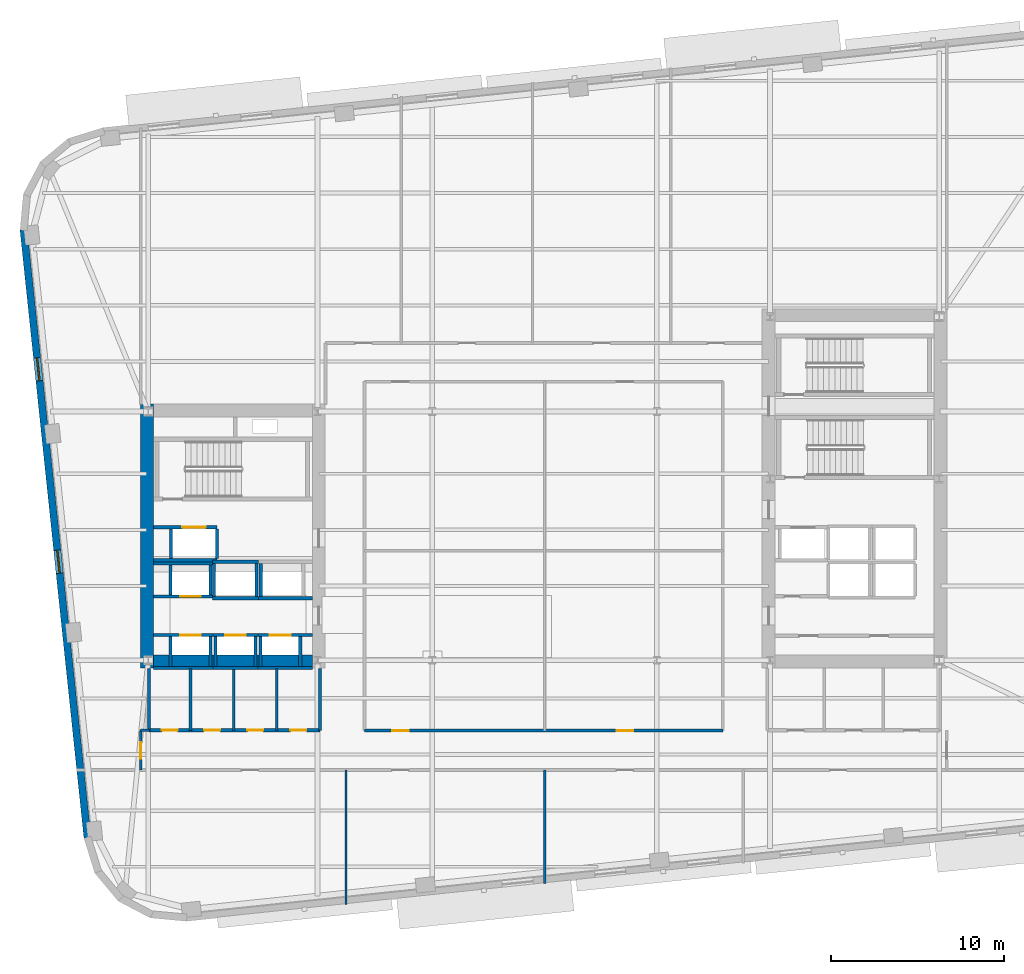
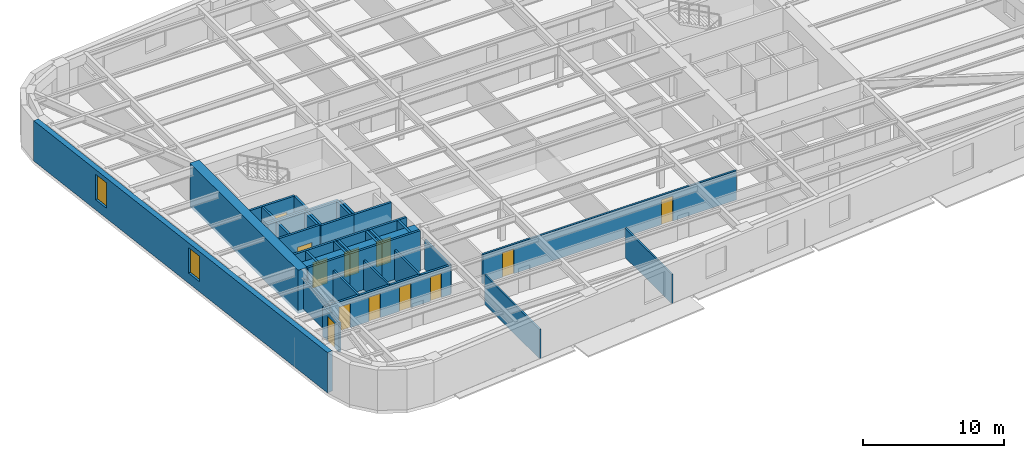
# One storey, part 4 of 11: 40 walls, 12 doors, 2 windows, 14 openings.
"""IFC4 building model written with IfcOpenShell, lengths in metres."""

from ifc_helpers import new_model, si_unit, direction, frame, frame_2d, origin, place, context, subcontext, project, spatial, rectangle, extrude, material, layer, layer_set, type_object, element, fill, save


model = new_model("IFC4")

# Units and contexts
model_context = context("Model", 3, precision=1e-05, world=origin(), true_north=direction((0.0, 1.0)))
body_context = subcontext(model_context, "Body", "Model", "MODEL_VIEW")
ifc_project = project(units=[si_unit("LENGTHUNIT", "METRE"), si_unit("AREAUNIT", "SQUARE_METRE"), si_unit("VOLUMEUNIT", "CUBIC_METRE"), si_unit("PLANEANGLEUNIT", "RADIAN"), si_unit("MASSUNIT", "GRAM", prefix="KILO")], contexts=[model_context])

# Site, building, storey
site_placement = place(None, origin())
site = spatial("IfcSite", under=ifc_project, at=site_placement, CompositionType="ELEMENT")
building_placement = place(site_placement, origin())
building = spatial("IfcBuilding", under=site, at=building_placement, Name="Kolvaren Arena Tower", CompositionType="ELEMENT")
storey_placement = place(building_placement, frame((0.0, 0.0, 134.5)))
storey = spatial("IfcBuildingStorey", under=building, at=storey_placement, Name="L31", CompositionType="ELEMENT", Elevation=134.5)

# Wall, openings, doors
ifc_material_1 = material(Name="Gypsum board acoustic assembly", Category="gypsum")
ifc_layer_1 = layer(ifc_material_1, 0.159912109375)
ifc_layer_set_1 = layer_set([ifc_layer_1], Name="Gypsum board acoustic assembly")
wall_type_1 = type_object("IfcWallType", Name="CORR-160", PredefinedType="PARTITIONING", material=ifc_layer_set_1)
wall_1_placement = place(storey_placement, frame((27.080078125, 15.3798828125, 0.0), z_axis=(0.0, 0.0, 1.0), x_axis=(1.0, 0.0, 0.0)))
wall_1 = element("IfcWall", 1, at=wall_1_placement, inside=storey, type_object=wall_type_1, Name="Interior Partition Wall (L31)", PredefinedType="PARTITIONING", context=body_context, shape_type="SweptSolid", body=[
    extrude(rectangle(XDim=20.739990234375, YDim=0.159912109375, at=frame_2d((10.3701171875, 0.0))), origin(), (0.0, 0.0, 1.0), 2.5400390625),
])
opening_1_placement = place(wall_1_placement, frame((1.594970703125, 0.0, 0.0)))
opening_1 = element("IfcOpeningElement", 2, at=opening_1_placement, cuts=wall_1, Name="Opening D05", PredefinedType="OPENING", context=body_context, shape_type="SweptSolid", body=[
    extrude(rectangle(XDim=0.949951171875, YDim=2.14990234375, at=frame_2d((0.47509765625, 1.074951171875))), frame((0.0, 0.08984375, 0.0), z_axis=(0.0, -1.0, 0.0), x_axis=(1.0, 0.0, 0.0)), (0.0, 0.0, 1.0), 0.179931640625),
])
opening_2_placement = place(wall_1_placement, frame((14.594970703125, 0.0, 0.0)))
opening_2 = element("IfcOpeningElement", 3, at=opening_2_placement, cuts=wall_1, Name="Opening D05", PredefinedType="OPENING", context=body_context, shape_type="SweptSolid", body=[
    extrude(rectangle(XDim=0.949951171875, YDim=2.14990234375, at=frame_2d((0.47509765625, 1.074951171875))), frame((0.0, 0.08984375, 0.0), z_axis=(0.0, -1.0, 0.0), x_axis=(1.0, 0.0, 0.0)), (0.0, 0.0, 1.0), 0.179931640625),
])
ifc_material_2 = material(Name="Solid-core oak acoustic office door", Category="wood")
door_type_1 = type_object("IfcDoorType", Name="DOOR-OF-095", OperationType="NOTDEFINED", PredefinedType="DOOR", material=ifc_material_2)
door_1_placement = place(opening_1_placement, origin())
door_1 = element("IfcDoor", 4, at=door_1_placement, inside=storey, type_object=door_type_1, Name="Technical Engineering Office Door (L31)", OperationType="SINGLE_SWING_RIGHT", OverallHeight=2.14990234375, OverallWidth=0.949951171875, PredefinedType="DOOR", context=body_context, shape_type="SweptSolid", body=[
    extrude(rectangle(XDim=0.949951171875, YDim=2.14990234375, at=frame_2d((0.47509765625, 1.074951171875))), frame((0.0, 0.02490234375, 0.0), z_axis=(0.0, -1.0, 0.0), x_axis=(1.0, 0.0, 0.0)), (0.0, 0.0, 1.0), 0.050048828125),
])
fill(opening_1, door_1)
door_2_placement = place(opening_2_placement, origin())
door_2 = element("IfcDoor", 5, at=door_2_placement, inside=storey, type_object=door_type_1, Name="Breakout Pantry and Kitchen Door (L31)", OperationType="SINGLE_SWING_RIGHT", OverallHeight=2.14990234375, OverallWidth=0.949951171875, PredefinedType="DOOR", context=body_context, shape_type="SweptSolid", body=[
    extrude(rectangle(XDim=0.949951171875, YDim=2.14990234375, at=frame_2d((0.47509765625, 1.074951171875))), frame((0.0, 0.02490234375, 0.0), z_axis=(0.0, -1.0, 0.0), x_axis=(1.0, 0.0, 0.0)), (0.0, 0.0, 1.0), 0.050048828125),
])
fill(opening_2, door_2)

# Wall, opening, door
wall_2_placement = place(storey_placement, frame((14.1201171875, 13.10009765625, 0.0), z_axis=(0.0, 0.0, 1.0), x_axis=(0.0, 1.0, 0.0)))
wall_2 = element("IfcWall", 6, at=wall_2_placement, inside=storey, type_object=wall_type_1, Name="Interior Partition Wall (L31)", PredefinedType="PARTITIONING", context=body_context, shape_type="SweptSolid", body=[
    extrude(rectangle(XDim=2.2998046875, YDim=0.159912109375, at=frame_2d((1.14990234375, 0.0))), origin(), (0.0, 0.0, 1.0), 2.5400390625),
])
opening_3_placement = place(wall_2_placement, frame((0.64990234375, 0.0, 0.0)))
opening_3 = element("IfcOpeningElement", 7, at=opening_3_placement, cuts=wall_2, Name="Opening D05", PredefinedType="OPENING", context=body_context, shape_type="SweptSolid", body=[
    extrude(rectangle(XDim=0.949951171875, YDim=2.14990234375, at=frame_2d((0.47509765625, 1.074951171875))), frame((0.0, 0.08984375, 0.0), z_axis=(0.0, -1.0, 0.0), x_axis=(1.0, 0.0, 0.0)), (0.0, 0.0, 1.0), 0.179931640625),
])
door_3_placement = place(opening_3_placement, origin())
door_3 = element("IfcDoor", 8, at=door_3_placement, inside=storey, type_object=door_type_1, Name="West Wing Office Door (L31)", OperationType="SINGLE_SWING_LEFT", OverallHeight=2.14990234375, OverallWidth=0.949951171875, PredefinedType="DOOR", context=body_context, shape_type="SweptSolid", body=[
    extrude(rectangle(XDim=0.949951171875, YDim=2.14990234375, at=frame_2d((0.47509765625, 1.074951171875))), frame((0.0, 0.02490234375, 0.0), z_axis=(0.0, -1.0, 0.0), x_axis=(1.0, 0.0, 0.0)), (0.0, 0.0, 1.0), 0.050048828125),
])
fill(opening_3, door_3)

# Walls
wall_3_placement = place(storey_placement, frame((14.1201171875, 15.39990234375, 0.0), z_axis=(0.0, 0.0, 1.0), x_axis=(1.0, 0.0, 0.0)))
element("IfcWall", 9, at=wall_3_placement, inside=storey, type_object=wall_type_1, Name="Interior Partition Wall (L31)", PredefinedType="PARTITIONING", context=body_context, shape_type="SweptSolid", body=[
    extrude(rectangle(XDim=0.5, YDim=0.159912109375, at=frame_2d((0.25, 0.0))), origin(), (0.0, 0.0, 1.0), 2.5400390625),
])
ifc_material_3 = material(Name="Concrete 70 MPa", Category="concrete")
ifc_layer_2 = layer(ifc_material_3, 0.75)
ifc_layer_set_2 = layer_set([ifc_layer_2], Name="Concrete 70 MPa")
wall_type_2 = type_object("IfcWallType", Name="CWALL-750", PredefinedType="SHEAR", material=ifc_layer_set_2)
wall_4_placement = place(storey_placement, frame((14.47509765625, 19.0, -0.27001953125), z_axis=(0.0, 0.0, 1.0), x_axis=(0.0, 1.0, 0.0)))
element("IfcWall", 10, at=wall_4_placement, inside=storey, type_object=wall_type_2, Name="Core Shear Wall WC-WEST (L31)", PredefinedType="SHEAR", context=body_context, shape_type="SweptSolid", body=[
    extrude(rectangle(XDim=15.300048828125, YDim=0.75, at=frame_2d((7.64990234375, 0.0))), origin(), (0.0, 0.0, 1.0), 3.75),
])
wall_5_placement = place(storey_placement, frame((14.85009765625, 19.375, -0.27001953125), z_axis=(0.0, 0.0, 1.0), x_axis=(1.0, 0.0, 0.0)))
element("IfcWall", 11, at=wall_5_placement, inside=storey, type_object=wall_type_2, Name="Core Shear Wall WC-SOUTH (L31)", PredefinedType="SHEAR", context=body_context, shape_type="SweptSolid", body=[
    extrude(rectangle(XDim=9.199951171875, YDim=0.75, at=frame_2d((4.60009765625, 0.0))), origin(), (0.0, 0.0, 1.0), 3.75),
])

# Wall, openings, windows
ifc_material_4 = material(Name="Precast concrete C50/60", Category="concrete")
ifc_layer_3 = layer(ifc_material_4, 0.419921875)
ifc_layer_set_3 = layer_set([ifc_layer_3], Name="Precast concrete C50/60")
wall_type_3 = type_object("IfcWallType", Name="EXT-PIER1", PredefinedType="SOLIDWALL", material=ifc_layer_set_3)
wall_6_placement = place(storey_placement, frame((11.039794921875, 9.16943359375, 0.0), z_axis=(0.0, 0.0, 1.0), x_axis=(-0.104532207177, 0.99452150186, 0.0)))
wall_6 = element("IfcWall", 12, at=wall_6_placement, inside=storey, type_object=wall_type_3, Name="Exterior Precast Masonry-Frame Wall (L31)", PredefinedType="SOLIDWALL", context=body_context, shape_type="SweptSolid", body=[
    extrude(rectangle(XDim=35.39990234375, YDim=0.419921875, at=frame_2d((17.699951171875, 0.0))), origin(), (0.0, 0.0, 1.0), 3.47998046875),
])
opening_4_placement = place(wall_6_placement, frame((15.39990234375, 0.0, 0.8798828125)))
opening_4 = element("IfcOpeningElement", 13, at=opening_4_placement, cuts=wall_6, Name="Opening W04", PredefinedType="OPENING", context=body_context, shape_type="SweptSolid", body=[
    extrude(rectangle(XDim=1.35009765625, YDim=2.199951171875, at=frame_2d((0.675048828125, 1.10009765625))), frame((0.0, 0.219970703125, 0.0), z_axis=(0.0, -1.0, 0.0), x_axis=(1.0, 0.0, 0.0)), (0.0, 0.0, 1.0), 0.43994140625),
])
opening_5_placement = place(wall_6_placement, frame((26.60009765625, 0.0, 0.8798828125)))
opening_5 = element("IfcOpeningElement", 14, at=opening_5_placement, cuts=wall_6, Name="Opening W04", PredefinedType="OPENING", context=body_context, shape_type="SweptSolid", body=[
    extrude(rectangle(XDim=1.35009765625, YDim=2.199951171875, at=frame_2d((0.675048828125, 1.10009765625))), frame((0.0, 0.219970703125, 0.0), z_axis=(0.0, -1.0, 0.0), x_axis=(1.0, 0.0, 0.0)), (0.0, 0.0, 1.0), 0.43994140625),
])
ifc_material_5 = material(Name="Triple-glazed curved-facet corner window", Category="glass")
window_type = type_object("IfcWindowType", Name="WIN-CRN-A", PartitioningType="SINGLE_PANEL", PredefinedType="WINDOW", material=ifc_material_5)
window_1_placement = place(opening_4_placement, origin())
window_1 = element("IfcWindow", 15, at=window_1_placement, inside=storey, type_object=window_type, Name="End-Wall Punched Window (L31)", OverallHeight=2.199951171875, OverallWidth=1.35009765625, PartitioningType="SINGLE_PANEL", PredefinedType="WINDOW", context=body_context, shape_type="SweptSolid", body=[
    extrude(rectangle(XDim=1.35009765625, YDim=2.199951171875, at=frame_2d((0.675048828125, 1.10009765625))), frame((0.0, 0.030029296875, 0.0), z_axis=(0.0, -1.0, 0.0), x_axis=(1.0, 0.0, 0.0)), (0.0, 0.0, 1.0), 0.06005859375),
])
fill(opening_4, window_1)
window_2_placement = place(opening_5_placement, origin())
window_2 = element("IfcWindow", 16, at=window_2_placement, inside=storey, type_object=window_type, Name="End-Wall Punched Window (L31)", OverallHeight=2.199951171875, OverallWidth=1.35009765625, PartitioningType="SINGLE_PANEL", PredefinedType="WINDOW", context=body_context, shape_type="SweptSolid", body=[
    extrude(rectangle(XDim=1.35009765625, YDim=2.199951171875, at=frame_2d((0.675048828125, 1.10009765625))), frame((0.0, 0.030029296875, 0.0), z_axis=(0.0, -1.0, 0.0), x_axis=(1.0, 0.0, 0.0)), (0.0, 0.0, 1.0), 0.06005859375),
])
fill(opening_5, window_2)

# Walls
ifc_material_6 = material(Name="Gypsum board partition assembly", Category="gypsum")
ifc_layer_4 = layer(ifc_material_6, 0.135009765625)
ifc_layer_set_4 = layer_set([ifc_layer_4], Name="Gypsum board partition assembly")
wall_type_4 = type_object("IfcWallType", Name="PART-135", PredefinedType="PARTITIONING", material=ifc_layer_set_4)
wall_7_placement = place(storey_placement, frame((26.0, 5.31201171875, 0.0), z_axis=(0.0, 0.0, 1.0), x_axis=(0.0, 1.0, 0.0)))
element("IfcWall", 17, at=wall_7_placement, inside=storey, type_object=wall_type_4, Name="Interior Partition Wall (L31)", PredefinedType="PARTITIONING", context=body_context, shape_type="SweptSolid", body=[
    extrude(rectangle(XDim=7.7880859375, YDim=0.135009765625, at=frame_2d((3.89404296875, 0.0))), origin(), (0.0, 0.0, 1.0), 2.5400390625),
])
wall_8_placement = place(storey_placement, frame((37.5, 6.520751953125, 0.0), z_axis=(0.0, 0.0, 1.0), x_axis=(0.0, 1.0, 0.0)))
element("IfcWall", 18, at=wall_8_placement, inside=storey, type_object=wall_type_4, Name="Interior Partition Wall (L31)", PredefinedType="PARTITIONING", context=body_context, shape_type="SweptSolid", body=[
    extrude(rectangle(XDim=6.579345703125, YDim=0.135009765625, at=frame_2d((3.28955078125, 0.0))), origin(), (0.0, 0.0, 1.0), 2.5400390625),
])

# Wall, opening, door
ifc_material_7 = material(Name="Concrete 45 MPa", Category="concrete")
ifc_layer_5 = layer(ifc_material_7, 0.25)
ifc_layer_set_5 = layer_set([ifc_layer_5], Name="Concrete 45 MPa")
wall_type_5 = type_object("IfcWallType", Name="SHAFT-250", PredefinedType="SOLIDWALL", material=ifc_layer_set_5)
wall_9_placement = place(storey_placement, frame((14.85009765625, 20.905029296875, 0.0), z_axis=(0.0, 0.0, 1.0), x_axis=(1.0, 0.0, 0.0)))
wall_9 = element("IfcWall", 19, at=wall_9_placement, inside=storey, type_object=wall_type_5, Name="Core Shaft Wall (L31)", PredefinedType="SOLIDWALL", context=body_context, shape_type="SweptSolid", body=[
    extrude(rectangle(XDim=3.449951171875, YDim=0.179931640625, at=frame_2d((1.72509765625, 0.0))), origin(), (0.0, 0.0, 1.0), 3.47998046875),
])
opening_6_placement = place(wall_9_placement, frame((1.550048828125, 0.0, 0.0)))
opening_6 = element("IfcOpeningElement", 20, at=opening_6_placement, cuts=wall_9, Name="Opening LD1", PredefinedType="OPENING", context=body_context, shape_type="SweptSolid", body=[
    extrude(rectangle(XDim=1.199951171875, YDim=2.199951171875, at=frame_2d((0.60009765625, 1.10009765625))), frame((0.0, 0.099853515625, 0.0), z_axis=(0.0, -1.0, 0.0), x_axis=(1.0, 0.0, 0.0)), (0.0, 0.0, 1.0), 0.199951171875),
])
ifc_material_8 = material(Name="Stainless steel passenger lift landing door", Category="steel")
door_type_2 = type_object("IfcDoorType", Name="DOOR-LD-120", OperationType="DOUBLE_DOOR_SLIDING", PredefinedType="DOOR", material=ifc_material_8)
door_4_placement = place(opening_6_placement, origin())
door_4 = element("IfcDoor", 21, at=door_4_placement, inside=storey, type_object=door_type_2, Name="Lift EL-MR1 Landing Door (L31)", OperationType="DOUBLE_DOOR_SLIDING", OverallHeight=2.199951171875, OverallWidth=1.199951171875, PredefinedType="DOOR", context=body_context, shape_type="SweptSolid", body=[
    extrude(rectangle(XDim=1.199951171875, YDim=2.199951171875, at=frame_2d((0.60009765625, 1.10009765625))), frame((0.0, 0.02490234375, 0.0), z_axis=(0.0, -1.0, 0.0), x_axis=(1.0, 0.0, 0.0)), (0.0, 0.0, 1.0), 0.050048828125),
])
fill(opening_6, door_4)

# Walls
wall_10_placement = place(storey_placement, frame((14.85009765625, 18.9951171875, 0.0), z_axis=(0.0, 0.0, 1.0), x_axis=(1.0, 0.0, 0.0)))
element("IfcWall", 22, at=wall_10_placement, inside=storey, type_object=wall_type_5, Name="Core Shaft Wall (L31)", PredefinedType="SOLIDWALL", context=body_context, shape_type="SweptSolid", body=[
    extrude(rectangle(XDim=3.449951171875, YDim=0.179931640625, at=frame_2d((1.72509765625, 0.0))), origin(), (0.0, 0.0, 1.0), 3.47998046875),
])
for number, where, z_axis, x_axis, name in (
    (23, (15.844970703125, 19.0849609375, 0.0), (0.0, 0.0, 1.0), (0.0, 1.0, 0.0), "Core Shaft Wall (L31)"),
    (24, (18.155029296875, 19.0849609375, 0.0), (0.0, 0.0, 1.0), (0.0, 1.0, 0.0), "Core Shaft Wall (L31)"),
):
    element("IfcWall", number, at=place(storey_placement, frame(where, z_axis=z_axis, x_axis=x_axis)), inside=storey, type_object=wall_type_5, Name=name, PredefinedType="SOLIDWALL", context=body_context, shape_type="SweptSolid", body=[
        extrude(rectangle(XDim=1.72998046875, YDim=0.179931640625, at=frame_2d((0.864990234375, 0.0))), origin(), (0.0, 0.0, 1.0), 3.47998046875),
    ])

# Wall, opening, door
wall_11_placement = place(storey_placement, frame((18.300048828125, 20.905029296875, 0.0), z_axis=(0.0, 0.0, 1.0), x_axis=(1.0, 0.0, 0.0)))
wall_11 = element("IfcWall", 25, at=wall_11_placement, inside=storey, type_object=wall_type_5, Name="Core Shaft Wall (L31)", PredefinedType="SOLIDWALL", context=body_context, shape_type="SweptSolid", body=[
    extrude(rectangle(XDim=2.599853515625, YDim=0.179931640625, at=frame_2d((1.2998046875, 0.0))), origin(), (0.0, 0.0, 1.0), 3.47998046875),
])
opening_7_placement = place(wall_11_placement, frame((0.699951171875, 0.0, 0.0)))
opening_7 = element("IfcOpeningElement", 26, at=opening_7_placement, cuts=wall_11, Name="Opening LD1", PredefinedType="OPENING", context=body_context, shape_type="SweptSolid", body=[
    extrude(rectangle(XDim=1.199951171875, YDim=2.199951171875, at=frame_2d((0.60009765625, 1.10009765625))), frame((0.0, 0.099853515625, 0.0), z_axis=(0.0, -1.0, 0.0), x_axis=(1.0, 0.0, 0.0)), (0.0, 0.0, 1.0), 0.199951171875),
])
door_5_placement = place(opening_7_placement, origin())
door_5 = element("IfcDoor", 27, at=door_5_placement, inside=storey, type_object=door_type_2, Name="Lift EL-MR2 Landing Door (L31)", OperationType="DOUBLE_DOOR_SLIDING", OverallHeight=2.199951171875, OverallWidth=1.199951171875, PredefinedType="DOOR", context=body_context, shape_type="SweptSolid", body=[
    extrude(rectangle(XDim=1.199951171875, YDim=2.199951171875, at=frame_2d((0.60009765625, 1.10009765625))), frame((0.0, 0.02490234375, 0.0), z_axis=(0.0, -1.0, 0.0), x_axis=(1.0, 0.0, 0.0)), (0.0, 0.0, 1.0), 0.050048828125),
])
fill(opening_7, door_5)

# Walls
wall_12_placement = place(storey_placement, frame((18.300048828125, 18.9951171875, 0.0), z_axis=(0.0, 0.0, 1.0), x_axis=(1.0, 0.0, 0.0)))
element("IfcWall", 28, at=wall_12_placement, inside=storey, type_object=wall_type_5, Name="Core Shaft Wall (L31)", PredefinedType="SOLIDWALL", context=body_context, shape_type="SweptSolid", body=[
    extrude(rectangle(XDim=2.599853515625, YDim=0.179931640625, at=frame_2d((1.2998046875, 0.0))), origin(), (0.0, 0.0, 1.0), 3.47998046875),
])
for number, where, z_axis, x_axis, name in (
    (29, (18.445068359375, 19.0849609375, 0.0), (0.0, 0.0, 1.0), (0.0, 1.0, 0.0), "Core Shaft Wall (L31)"),
    (30, (20.7548828125, 19.0849609375, 0.0), (0.0, 0.0, 1.0), (0.0, 1.0, 0.0), "Core Shaft Wall (L31)"),
):
    element("IfcWall", number, at=place(storey_placement, frame(where, z_axis=z_axis, x_axis=x_axis)), inside=storey, type_object=wall_type_5, Name=name, PredefinedType="SOLIDWALL", context=body_context, shape_type="SweptSolid", body=[
        extrude(rectangle(XDim=1.72998046875, YDim=0.179931640625, at=frame_2d((0.864990234375, 0.0))), origin(), (0.0, 0.0, 1.0), 3.47998046875),
    ])

# Wall, opening, door
wall_13_placement = place(storey_placement, frame((20.89990234375, 20.905029296875, 0.0), z_axis=(0.0, 0.0, 1.0), x_axis=(1.0, 0.0, 0.0)))
wall_13 = element("IfcWall", 31, at=wall_13_placement, inside=storey, type_object=wall_type_5, Name="Core Shaft Wall (L31)", PredefinedType="SOLIDWALL", context=body_context, shape_type="SweptSolid", body=[
    extrude(rectangle(XDim=3.150146484375, YDim=0.179931640625, at=frame_2d((1.5751953125, 0.0))), origin(), (0.0, 0.0, 1.0), 3.47998046875),
])
opening_8_placement = place(wall_13_placement, frame((0.699951171875, 0.0, 0.0)))
opening_8 = element("IfcOpeningElement", 32, at=opening_8_placement, cuts=wall_13, Name="Opening LD1", PredefinedType="OPENING", context=body_context, shape_type="SweptSolid", body=[
    extrude(rectangle(XDim=1.199951171875, YDim=2.199951171875, at=frame_2d((0.60009765625, 1.10009765625))), frame((0.0, 0.099853515625, 0.0), z_axis=(0.0, -1.0, 0.0), x_axis=(1.0, 0.0, 0.0)), (0.0, 0.0, 1.0), 0.199951171875),
])
door_6_placement = place(opening_8_placement, origin())
door_6 = element("IfcDoor", 33, at=door_6_placement, inside=storey, type_object=door_type_2, Name="Lift EL-MR3 Landing Door (L31)", OperationType="DOUBLE_DOOR_SLIDING", OverallHeight=2.199951171875, OverallWidth=1.199951171875, PredefinedType="DOOR", context=body_context, shape_type="SweptSolid", body=[
    extrude(rectangle(XDim=1.199951171875, YDim=2.199951171875, at=frame_2d((0.60009765625, 1.10009765625))), frame((0.0, 0.02490234375, 0.0), z_axis=(0.0, -1.0, 0.0), x_axis=(1.0, 0.0, 0.0)), (0.0, 0.0, 1.0), 0.050048828125),
])
fill(opening_8, door_6)

# Walls
wall_14_placement = place(storey_placement, frame((20.89990234375, 18.9951171875, 0.0), z_axis=(0.0, 0.0, 1.0), x_axis=(1.0, 0.0, 0.0)))
element("IfcWall", 34, at=wall_14_placement, inside=storey, type_object=wall_type_5, Name="Core Shaft Wall (L31)", PredefinedType="SOLIDWALL", context=body_context, shape_type="SweptSolid", body=[
    extrude(rectangle(XDim=3.150146484375, YDim=0.179931640625, at=frame_2d((1.5751953125, 0.0))), origin(), (0.0, 0.0, 1.0), 3.47998046875),
])
for number, where, z_axis, x_axis, name in (
    (35, (21.044921875, 19.0849609375, 0.0), (0.0, 0.0, 1.0), (0.0, 1.0, 0.0), "Core Shaft Wall (L31)"),
    (36, (23.35498046875, 19.0849609375, 0.0), (0.0, 0.0, 1.0), (0.0, 1.0, 0.0), "Core Shaft Wall (L31)"),
):
    element("IfcWall", number, at=place(storey_placement, frame(where, z_axis=z_axis, x_axis=x_axis)), inside=storey, type_object=wall_type_5, Name=name, PredefinedType="SOLIDWALL", context=body_context, shape_type="SweptSolid", body=[
        extrude(rectangle(XDim=1.72998046875, YDim=0.179931640625, at=frame_2d((0.864990234375, 0.0))), origin(), (0.0, 0.0, 1.0), 3.47998046875),
    ])
wall_15_placement = place(storey_placement, frame((14.85009765625, 25.054931640625, 0.0), z_axis=(0.0, 0.0, 1.0), x_axis=(1.0, 0.0, 0.0)))
element("IfcWall", 37, at=wall_15_placement, inside=storey, type_object=wall_type_5, Name="Core Shaft Wall (L31)", PredefinedType="SOLIDWALL", context=body_context, shape_type="SweptSolid", body=[
    extrude(rectangle(XDim=3.412353515625, YDim=0.179931640625, at=frame_2d((1.7060546875, 0.0))), origin(), (0.0, 0.0, 1.0), 3.47998046875),
])

# Wall, opening, door
wall_16_placement = place(storey_placement, frame((14.85009765625, 23.14501953125, 0.0), z_axis=(0.0, 0.0, 1.0), x_axis=(1.0, 0.0, 0.0)))
wall_16 = element("IfcWall", 38, at=wall_16_placement, inside=storey, type_object=wall_type_5, Name="Core Shaft Wall (L31)", PredefinedType="SOLIDWALL", context=body_context, shape_type="SweptSolid", body=[
    extrude(rectangle(XDim=3.412353515625, YDim=0.179931640625, at=frame_2d((1.7060546875, 0.0))), origin(), (0.0, 0.0, 1.0), 3.47998046875),
])
opening_9_placement = place(wall_16_placement, frame((1.550048828125, 0.0, 0.0)))
opening_9 = element("IfcOpeningElement", 39, at=opening_9_placement, cuts=wall_16, Name="Opening LD1", PredefinedType="OPENING", context=body_context, shape_type="SweptSolid", body=[
    extrude(rectangle(XDim=1.199951171875, YDim=2.199951171875, at=frame_2d((0.60009765625, 1.10009765625))), frame((0.0, 0.099853515625, 0.0), z_axis=(0.0, -1.0, 0.0), x_axis=(1.0, 0.0, 0.0)), (0.0, 0.0, 1.0), 0.199951171875),
])
door_7_placement = place(opening_9_placement, origin())
door_7 = element("IfcDoor", 40, at=door_7_placement, inside=storey, type_object=door_type_2, Name="Lift EL-MR4 Landing Door (L31)", OperationType="DOUBLE_DOOR_SLIDING", OverallHeight=2.199951171875, OverallWidth=1.199951171875, PredefinedType="DOOR", context=body_context, shape_type="SweptSolid", body=[
    extrude(rectangle(XDim=1.199951171875, YDim=2.199951171875, at=frame_2d((0.60009765625, 1.10009765625))), frame((0.0, 0.02490234375, 0.0), z_axis=(0.0, -1.0, 0.0), x_axis=(1.0, 0.0, 0.0)), (0.0, 0.0, 1.0), 0.050048828125),
])
fill(opening_9, door_7)

# Walls
for number, where, z_axis, x_axis, name in (
    (41, (15.844970703125, 23.235107421875, 0.0), (0.0, 0.0, 1.0), (0.0, 1.0, 0.0), "Core Shaft Wall (L31)"),
    (42, (18.155029296875, 23.235107421875, 0.0), (0.0, 0.0, 1.0), (0.0, 1.0, 0.0), "Core Shaft Wall (L31)"),
):
    element("IfcWall", number, at=place(storey_placement, frame(where, z_axis=z_axis, x_axis=x_axis)), inside=storey, type_object=wall_type_5, Name=name, PredefinedType="SOLIDWALL", context=body_context, shape_type="SweptSolid", body=[
        extrude(rectangle(XDim=1.72998046875, YDim=0.179931640625, at=frame_2d((0.864990234375, 0.0))), origin(), (0.0, 0.0, 1.0), 3.47998046875),
    ])
for number, where, z_axis, x_axis, name in (
    (43, (18.262451171875, 25.155029296875, 0.0), (0.0, 0.0, 1.0), (1.0, 0.0, 0.0), "Core Shaft Wall (L31)"),
    (44, (18.262451171875, 23.044921875, 0.0), (0.0, 0.0, 1.0), (1.0, 0.0, 0.0), "Core Shaft Wall (L31)"),
):
    element("IfcWall", number, at=place(storey_placement, frame(where, z_axis=z_axis, x_axis=x_axis)), inside=storey, type_object=wall_type_5, Name=name, PredefinedType="SOLIDWALL", context=body_context, shape_type="SweptSolid", body=[
        extrude(rectangle(XDim=2.6875, YDim=0.179931640625, at=frame_2d((1.34375, 0.0))), origin(), (0.0, 0.0, 1.0), 3.47998046875),
    ])
for number, where, z_axis, x_axis, name in (
    (45, (18.3701171875, 23.135009765625, 0.0), (0.0, 0.0, 1.0), (0.0, 1.0, 0.0), "Core Shaft Wall (L31)"),
    (46, (20.830078125, 23.135009765625, 0.0), (0.0, 0.0, 1.0), (0.0, 1.0, 0.0), "Core Shaft Wall (L31)"),
):
    element("IfcWall", number, at=place(storey_placement, frame(where, z_axis=z_axis, x_axis=x_axis)), inside=storey, type_object=wall_type_5, Name=name, PredefinedType="SOLIDWALL", context=body_context, shape_type="SweptSolid", body=[
        extrude(rectangle(XDim=1.929931640625, YDim=0.179931640625, at=frame_2d((0.96484375, 0.0))), origin(), (0.0, 0.0, 1.0), 3.47998046875),
    ])
wall_17_placement = place(storey_placement, frame((20.949951171875, 23.044921875, 0.0), z_axis=(0.0, 0.0, 1.0), x_axis=(1.0, 0.0, 0.0)))
element("IfcWall", 47, at=wall_17_placement, inside=storey, type_object=wall_type_5, Name="Core Shaft Wall (L31)", PredefinedType="SOLIDWALL", context=body_context, shape_type="SweptSolid", body=[
    extrude(rectangle(XDim=3.10009765625, YDim=0.179931640625, at=frame_2d((1.550048828125, 0.0))), origin(), (0.0, 0.0, 1.0), 3.47998046875),
])
wall_18_placement = place(storey_placement, frame((21.070068359375, 23.135009765625, 0.0), z_axis=(0.0, 0.0, 1.0), x_axis=(0.0, 1.0, 0.0)))
element("IfcWall", 48, at=wall_18_placement, inside=storey, type_object=wall_type_5, Name="Core Shaft Wall (L31)", PredefinedType="SOLIDWALL", context=body_context, shape_type="SweptSolid", body=[
    extrude(rectangle(XDim=1.929931640625, YDim=0.179931640625, at=frame_2d((0.96484375, 0.0))), origin(), (0.0, 0.0, 1.0), 3.47998046875),
])

# Wall, opening, door
wall_19_placement = place(storey_placement, frame((14.85009765625, 27.155029296875, 0.0), z_axis=(0.0, 0.0, 1.0), x_axis=(1.0, 0.0, 0.0)))
wall_19 = element("IfcWall", 49, at=wall_19_placement, inside=storey, type_object=wall_type_5, Name="Core Shaft Wall (L31)", PredefinedType="SOLIDWALL", context=body_context, shape_type="SweptSolid", body=[
    extrude(rectangle(XDim=3.679931640625, YDim=0.179931640625, at=frame_2d((1.83984375, 0.0))), origin(), (0.0, 0.0, 1.0), 3.47998046875),
])
opening_10_placement = place(wall_19_placement, frame((1.675048828125, 0.0, 0.0)))
opening_10 = element("IfcOpeningElement", 50, at=opening_10_placement, cuts=wall_19, Name="Opening LD2", PredefinedType="OPENING", context=body_context, shape_type="SweptSolid", body=[
    extrude(rectangle(XDim=1.35009765625, YDim=2.300048828125, at=frame_2d((0.675048828125, 1.14990234375))), frame((0.0, 0.099853515625, 0.0), z_axis=(0.0, -1.0, 0.0), x_axis=(1.0, 0.0, 0.0)), (0.0, 0.0, 1.0), 0.199951171875),
])
ifc_material_9 = material(Name="Stainless steel firefighter lift landing door", Category="steel")
door_type_3 = type_object("IfcDoorType", Name="DOOR-LD-135", OperationType="DOUBLE_DOOR_SLIDING", PredefinedType="DOOR", material=ifc_material_9)
door_8_placement = place(opening_10_placement, origin())
door_8 = element("IfcDoor", 51, at=door_8_placement, inside=storey, type_object=door_type_3, Name="Firefighter Lift FF-W1 Landing Door (L31)", OperationType="DOUBLE_DOOR_SLIDING", OverallHeight=2.300048828125, OverallWidth=1.35009765625, PredefinedType="DOOR", context=body_context, shape_type="SweptSolid", body=[
    extrude(rectangle(XDim=1.35009765625, YDim=2.300048828125, at=frame_2d((0.675048828125, 1.14990234375))), frame((0.0, 0.02490234375, 0.0), z_axis=(0.0, -1.0, 0.0), x_axis=(1.0, 0.0, 0.0)), (0.0, 0.0, 1.0), 0.050048828125),
])
fill(opening_10, door_8)

# Walls
wall_20_placement = place(storey_placement, frame((14.85009765625, 25.2451171875, 0.0), z_axis=(0.0, 0.0, 1.0), x_axis=(1.0, 0.0, 0.0)))
element("IfcWall", 52, at=wall_20_placement, inside=storey, type_object=wall_type_5, Name="Core Shaft Wall (L31)", PredefinedType="SOLIDWALL", context=body_context, shape_type="SweptSolid", body=[
    extrude(rectangle(XDim=3.679931640625, YDim=0.179931640625, at=frame_2d((1.83984375, 0.0))), origin(), (0.0, 0.0, 1.0), 3.47998046875),
])
for number, where, z_axis, x_axis, name in (
    (53, (15.8701171875, 25.3349609375, 0.0), (0.0, 0.0, 1.0), (0.0, 1.0, 0.0), "Core Shaft Wall (L31)"),
    (54, (18.530029296875, 25.3349609375, 0.0), (0.0, 0.0, 1.0), (0.0, 1.0, 0.0), "Core Shaft Wall (L31)"),
):
    element("IfcWall", number, at=place(storey_placement, frame(where, z_axis=z_axis, x_axis=x_axis)), inside=storey, type_object=wall_type_5, Name=name, PredefinedType="SOLIDWALL", context=body_context, shape_type="SweptSolid", body=[
        extrude(rectangle(XDim=1.72998046875, YDim=0.179931640625, at=frame_2d((0.864990234375, 0.0))), origin(), (0.0, 0.0, 1.0), 3.47998046875),
    ])
ifc_material_10 = material(Name="Moisture-resistant gypsum assembly", Category="gypsum")
ifc_layer_6 = layer(ifc_material_10, 0.14990234375)
ifc_layer_set_6 = layer_set([ifc_layer_6], Name="Moisture-resistant gypsum assembly")
wall_type_6 = type_object("IfcWallType", Name="WETW-150", PredefinedType="PARTITIONING", material=ifc_layer_set_6)
for number, where, z_axis, x_axis, name in (
    (55, (17.0, 15.39990234375, 0.0), (0.0, 0.0, 1.0), (0.0, 1.0, 0.0), "Interior Partition Wall (L31)"),
    (56, (19.5, 15.39990234375, 0.0), (0.0, 0.0, 1.0), (0.0, 1.0, 0.0), "Interior Partition Wall (L31)"),
    (57, (22.0, 15.39990234375, 0.0), (0.0, 0.0, 1.0), (0.0, 1.0, 0.0), "Interior Partition Wall (L31)"),
):
    element("IfcWall", number, at=place(storey_placement, frame(where, z_axis=z_axis, x_axis=x_axis)), inside=storey, type_object=wall_type_6, Name=name, PredefinedType="PARTITIONING", context=body_context, shape_type="SweptSolid", body=[
        extrude(rectangle(XDim=3.580078125, YDim=0.14990234375, at=frame_2d((1.7900390625, 0.0))), origin(), (0.0, 0.0, 1.0), 2.5400390625),
    ])

# Wall, openings, doors
wall_21_placement = place(storey_placement, frame((14.60009765625, 15.39990234375, 0.0), z_axis=(0.0, 0.0, 1.0), x_axis=(1.0, 0.0, 0.0)))
wall_21 = element("IfcWall", 58, at=wall_21_placement, inside=storey, type_object=wall_type_6, Name="Interior Partition Wall (L31)", PredefinedType="PARTITIONING", context=body_context, shape_type="SweptSolid", body=[
    extrude(rectangle(XDim=9.89990234375, YDim=0.179931640625, at=frame_2d((4.949951171875, 0.0))), origin(), (0.0, 0.0, 1.0), 2.5400390625),
])
opening_11_placement = place(wall_21_placement, frame((0.739990234375, 0.0, 0.0)))
opening_11 = element("IfcOpeningElement", 59, at=opening_11_placement, cuts=wall_21, Name="Opening D07", PredefinedType="OPENING", context=body_context, shape_type="SweptSolid", body=[
    extrude(rectangle(XDim=0.919921875, YDim=2.10009765625, at=frame_2d((0.4599609375, 1.050048828125))), frame((0.0, 0.099853515625, 0.0), z_axis=(0.0, -1.0, 0.0), x_axis=(1.0, 0.0, 0.0)), (0.0, 0.0, 1.0), 0.199951171875),
])
opening_12_placement = place(wall_21_placement, frame((3.18994140625, 0.0, 0.0)))
opening_12 = element("IfcOpeningElement", 60, at=opening_12_placement, cuts=wall_21, Name="Opening D07", PredefinedType="OPENING", context=body_context, shape_type="SweptSolid", body=[
    extrude(rectangle(XDim=0.919921875, YDim=2.10009765625, at=frame_2d((0.4599609375, 1.050048828125))), frame((0.0, 0.099853515625, 0.0), z_axis=(0.0, -1.0, 0.0), x_axis=(1.0, 0.0, 0.0)), (0.0, 0.0, 1.0), 0.199951171875),
])
opening_13_placement = place(wall_21_placement, frame((5.68994140625, 0.0, 0.0)))
opening_13 = element("IfcOpeningElement", 61, at=opening_13_placement, cuts=wall_21, Name="Opening D07", PredefinedType="OPENING", context=body_context, shape_type="SweptSolid", body=[
    extrude(rectangle(XDim=0.919921875, YDim=2.10009765625, at=frame_2d((0.4599609375, 1.050048828125))), frame((0.0, 0.099853515625, 0.0), z_axis=(0.0, -1.0, 0.0), x_axis=(1.0, 0.0, 0.0)), (0.0, 0.0, 1.0), 0.199951171875),
])
opening_14_placement = place(wall_21_placement, frame((8.18994140625, 0.0, 0.0)))
opening_14 = element("IfcOpeningElement", 62, at=opening_14_placement, cuts=wall_21, Name="Opening D07", PredefinedType="OPENING", context=body_context, shape_type="SweptSolid", body=[
    extrude(rectangle(XDim=0.919921875, YDim=2.10009765625, at=frame_2d((0.4599609375, 1.050048828125))), frame((0.0, 0.099853515625, 0.0), z_axis=(0.0, -1.0, 0.0), x_axis=(1.0, 0.0, 0.0)), (0.0, 0.0, 1.0), 0.199951171875),
])
ifc_material_11 = material(Name="Laminate universal washroom door", Category="wood")
door_type_4 = type_object("IfcDoorType", Name="DOOR-WC-092", OperationType="NOTDEFINED", PredefinedType="DOOR", material=ifc_material_11)
door_9_placement = place(opening_11_placement, origin())
door_9 = element("IfcDoor", 63, at=door_9_placement, inside=storey, type_object=door_type_4, Name="Cleaner and Janitor Store Door (L31)", OperationType="SINGLE_SWING_LEFT", OverallHeight=2.10009765625, OverallWidth=0.919921875, PredefinedType="DOOR", context=body_context, shape_type="SweptSolid", body=[
    extrude(rectangle(XDim=0.919921875, YDim=2.10009765625, at=frame_2d((0.4599609375, 1.050048828125))), frame((0.0, 0.02490234375, 0.0), z_axis=(0.0, -1.0, 0.0), x_axis=(1.0, 0.0, 0.0)), (0.0, 0.0, 1.0), 0.050048828125),
])
fill(opening_11, door_9)
door_10_placement = place(opening_12_placement, origin())
door_10 = element("IfcDoor", 64, at=door_10_placement, inside=storey, type_object=door_type_4, Name="Universal Barrier-Free Washroom Door (L31)", OperationType="SINGLE_SWING_RIGHT", OverallHeight=2.10009765625, OverallWidth=0.919921875, PredefinedType="DOOR", context=body_context, shape_type="SweptSolid", body=[
    extrude(rectangle(XDim=0.919921875, YDim=2.10009765625, at=frame_2d((0.4599609375, 1.050048828125))), frame((0.0, 0.02490234375, 0.0), z_axis=(0.0, -1.0, 0.0), x_axis=(1.0, 0.0, 0.0)), (0.0, 0.0, 1.0), 0.050048828125),
])
fill(opening_12, door_10)
door_11_placement = place(opening_13_placement, origin())
door_11 = element("IfcDoor", 65, at=door_11_placement, inside=storey, type_object=door_type_4, Name="Women Restroom Door (L31)", OperationType="SINGLE_SWING_LEFT", OverallHeight=2.10009765625, OverallWidth=0.919921875, PredefinedType="DOOR", context=body_context, shape_type="SweptSolid", body=[
    extrude(rectangle(XDim=0.919921875, YDim=2.10009765625, at=frame_2d((0.4599609375, 1.050048828125))), frame((0.0, 0.02490234375, 0.0), z_axis=(0.0, -1.0, 0.0), x_axis=(1.0, 0.0, 0.0)), (0.0, 0.0, 1.0), 0.050048828125),
])
fill(opening_13, door_11)
door_12_placement = place(opening_14_placement, origin())
door_12 = element("IfcDoor", 66, at=door_12_placement, inside=storey, type_object=door_type_4, Name="Men Restroom Door (L31)", OperationType="SINGLE_SWING_RIGHT", OverallHeight=2.10009765625, OverallWidth=0.919921875, PredefinedType="DOOR", context=body_context, shape_type="SweptSolid", body=[
    extrude(rectangle(XDim=0.919921875, YDim=2.10009765625, at=frame_2d((0.4599609375, 1.050048828125))), frame((0.0, 0.02490234375, 0.0), z_axis=(0.0, -1.0, 0.0), x_axis=(1.0, 0.0, 0.0)), (0.0, 0.0, 1.0), 0.050048828125),
])
fill(opening_14, door_12)

# Walls
for number, where, z_axis, x_axis, name in (
    (67, (14.60009765625, 15.39990234375, 0.0), (0.0, 0.0, 1.0), (0.0, 1.0, 0.0), "Interior Partition Wall (L31)"),
    (68, (24.5, 15.39990234375, 0.0), (0.0, 0.0, 1.0), (0.0, 1.0, 0.0), "Interior Partition Wall (L31)"),
):
    element("IfcWall", number, at=place(storey_placement, frame(where, z_axis=z_axis, x_axis=x_axis)), inside=storey, type_object=wall_type_6, Name=name, PredefinedType="PARTITIONING", context=body_context, shape_type="SweptSolid", body=[
        extrude(rectangle(XDim=3.580078125, YDim=0.14990234375, at=frame_2d((1.7900390625, 0.0))), origin(), (0.0, 0.0, 1.0), 2.5400390625),
    ])

save(model, "model.ifc")
